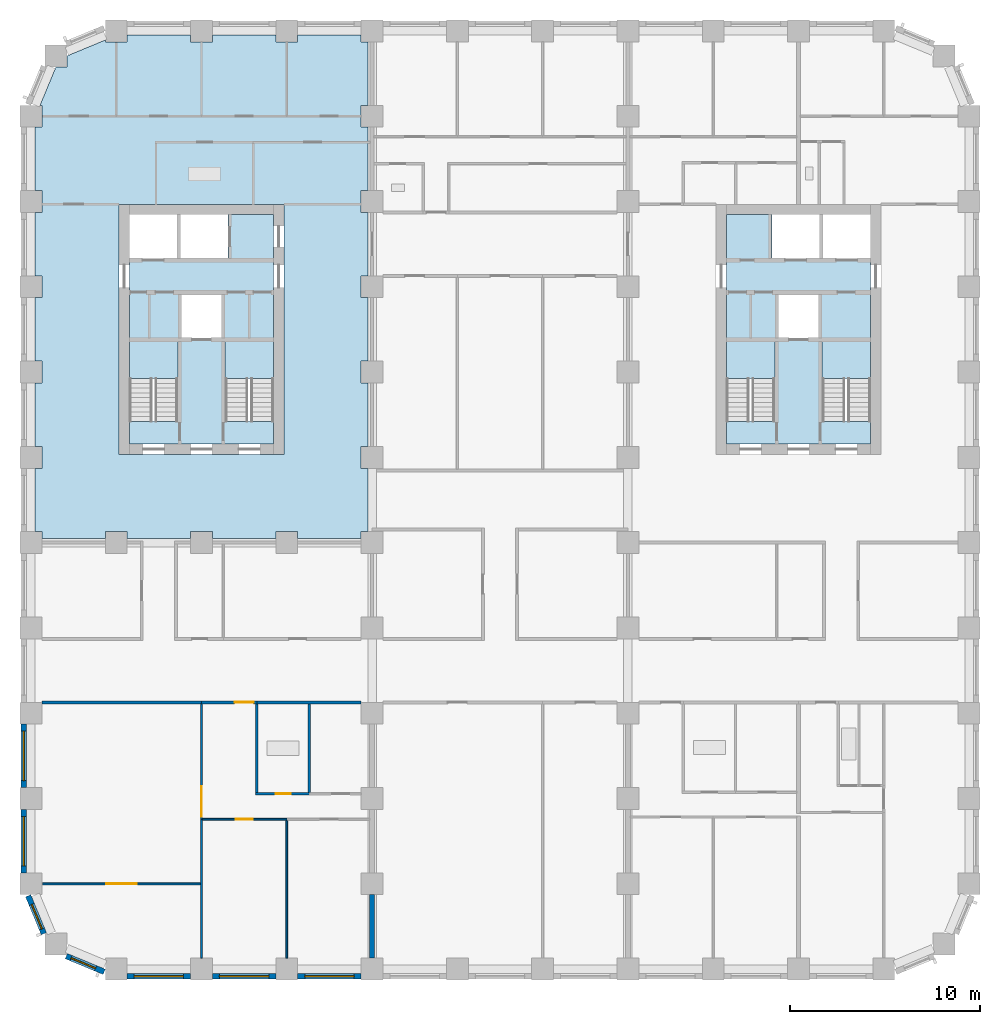
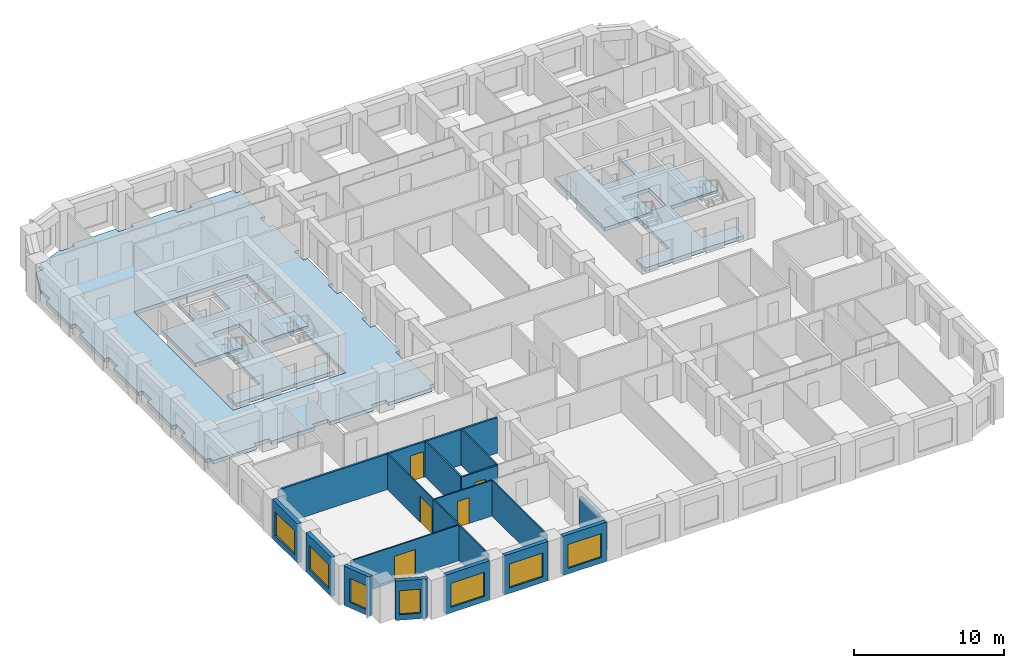
# One storey, part 2 of 13: 19 walls, 7 slabs, 7 windows, 5 doors, 12 openings, 4 elements without a shape of their own.
"""IFC4 building model written with IfcOpenShell, lengths in metres."""

from ifc_helpers import new_model, si_unit, direction, frame, frame_2d, origin, place, context, subcontext, project, spatial, polyline, rectangle, outline, extrude, material, layer, layer_set, type_object, element, fill, aggregate, save


model = new_model("IFC4")

# Units and contexts
model_context = context("Model", 3, precision=1e-05, world=origin(), true_north=direction((0.0, 1.0)))
body_context = subcontext(model_context, "Body", "Model", "MODEL_VIEW")
ifc_project = project(units=[si_unit("LENGTHUNIT", "METRE"), si_unit("AREAUNIT", "SQUARE_METRE"), si_unit("VOLUMEUNIT", "CUBIC_METRE"), si_unit("PLANEANGLEUNIT", "RADIAN"), si_unit("MASSUNIT", "GRAM", prefix="KILO")], contexts=[model_context])

# Site, building, storey
site_placement = place(None, origin())
site = spatial("IfcSite", under=ifc_project, at=site_placement, CompositionType="ELEMENT")
building_placement = place(site_placement, origin())
building = spatial("IfcBuilding", under=site, at=building_placement, Name="Girih Gate Residences", CompositionType="ELEMENT")
storey_placement = place(building_placement, frame((0.0, 0.0, 89.60009765625)))
storey = spatial("IfcBuildingStorey", under=building, at=storey_placement, Name="L24", CompositionType="ELEMENT", Elevation=89.60009765625)

# Slabs
ifc_material_1 = material(Name="Concrete C40/50", Category="concrete")
ifc_layer_1 = layer(ifc_material_1, 0.300048828125)
ifc_layer_set_1 = layer_set([ifc_layer_1], Name="Core floor slab 300")
slab_type_1 = type_object("IfcSlabType", Name="Core floor slab 300", PredefinedType="FLOOR", material=ifc_layer_set_1)
slab_1_placement = place(storey_placement, frame((0.0, 0.0, -0.300048828125)))
element("IfcSlab", 1, at=slab_1_placement, inside=storey, type_object=slab_type_1, Name="L24 W core floor", PredefinedType="FLOOR", context=body_context, shape_type="SweptSolid", body=[
    extrude(outline(polyline([(12.800048828125, 27.699951171875), (5.199951171875, 27.699951171875), (5.199951171875, 28.900634765625), (7.75, 28.900634765625), (7.75, 33.10009765625), (5.199951171875, 33.10009765625), (5.199951171875, 37.5), (7.699951171875, 37.5), (7.699951171875, 39.800048828125), (7.89990234375, 39.800048828125), (7.89990234375, 37.5), (10.39990234375, 37.5), (10.39990234375, 39.800048828125), (12.800048828125, 39.800048828125), (12.800048828125, 33.10009765625), (10.25, 33.10009765625), (10.25, 28.900634765625), (12.800048828125, 28.900634765625), (12.800048828125, 27.699951171875)]), holes=[polyline([(7.949951171875, 33.300048828125), (10.050048828125, 33.300048828125), (10.050048828125, 35.60009765625), (7.949951171875, 35.60009765625), (7.949951171875, 33.300048828125)])]), origin(), (0.0, 0.0, 1.0), 0.300048828125),
])
slab_2_placement = place(storey_placement, frame((0.0, 0.0, -0.300048828125)))
element("IfcSlab", 2, at=slab_2_placement, inside=storey, type_object=slab_type_1, Name="L24 E core floor", PredefinedType="FLOOR", context=body_context, shape_type="SweptSolid", body=[
    extrude(outline(polyline([(44.300048828125, 27.699951171875), (36.699951171875, 27.699951171875), (36.699951171875, 28.900634765625), (39.25, 28.900634765625), (39.25, 33.10009765625), (36.699951171875, 33.10009765625), (36.699951171875, 39.800048828125), (39.10009765625, 39.800048828125), (39.10009765625, 37.5), (41.60009765625, 37.5), (41.60009765625, 39.800048828125), (41.800048828125, 39.800048828125), (41.800048828125, 37.5), (44.300048828125, 37.5), (44.300048828125, 33.10009765625), (41.75, 33.10009765625), (41.75, 28.900634765625), (44.300048828125, 28.900634765625), (44.300048828125, 27.699951171875)]), holes=[polyline([(39.449951171875, 33.300048828125), (41.550048828125, 33.300048828125), (41.550048828125, 35.60009765625), (39.449951171875, 35.60009765625), (39.449951171875, 33.300048828125)])]), origin(), (0.0, 0.0, 1.0), 0.300048828125),
])
ifc_layer_2 = layer(ifc_material_1, 0.300048828125)
ifc_layer_set_2 = layer_set([ifc_layer_2], Name="Floor slab PT 300 Concrete C40/50")
slab_type_2 = type_object("IfcSlabType", Name="Floor slab PT 300 Concrete C40/50", PredefinedType="FLOOR", material=ifc_layer_set_2)
slab_3_placement = place(storey_placement, frame((0.0, 0.0, -0.300048828125)))
element("IfcSlab", 3, at=slab_3_placement, inside=storey, type_object=slab_type_2, Name="Floor slab L24 3", PredefinedType="FLOOR", context=body_context, shape_type="SweptSolid", body=[
    extrude(outline(polyline([(0.22509765625, 26.425048828125), (0.22509765625, 23.074951171875), (0.574951171875, 23.074951171875), (0.574951171875, 22.72509765625), (3.925048828125, 22.72509765625), (3.925048828125, 23.074951171875), (5.074951171875, 23.074951171875), (5.074951171875, 22.72509765625), (8.425048828125, 22.72509765625), (8.425048828125, 23.074951171875), (9.574951171875, 23.074951171875), (9.574951171875, 22.72509765625), (12.925048828125, 22.72509765625), (12.925048828125, 23.074951171875), (14.074951171875, 23.074951171875), (14.074951171875, 22.72509765625), (17.425048828125, 22.72509765625), (17.425048828125, 23.074951171875), (17.77490234375, 23.074951171875), (17.77490234375, 26.425048828125), (17.425048828125, 26.425048828125), (17.425048828125, 27.574951171875), (17.77490234375, 27.574951171875), (17.77490234375, 30.925048828125), (17.425048828125, 30.925048828125), (17.425048828125, 32.074951171875), (17.77490234375, 32.074951171875), (17.77490234375, 35.425048828125), (17.425048828125, 35.425048828125), (17.425048828125, 36.574951171875), (17.77490234375, 36.574951171875), (17.77490234375, 39.925048828125), (17.425048828125, 39.925048828125), (17.425048828125, 41.074951171875), (17.77490234375, 41.074951171875), (17.77490234375, 44.425048828125), (17.425048828125, 44.425048828125), (17.425048828125, 45.574951171875), (17.77490234375, 45.574951171875), (17.77490234375, 48.925048828125), (17.425048828125, 48.925048828125), (17.425048828125, 49.27490234375), (14.074951171875, 49.27490234375), (14.074951171875, 48.925048828125), (12.925048828125, 48.925048828125), (12.925048828125, 49.27490234375), (9.574951171875, 49.27490234375), (9.574951171875, 48.925048828125), (8.425048828125, 48.925048828125), (8.425048828125, 49.27490234375), (5.074951171875, 49.27490234375), (5.074951171875, 48.925048828125), (3.925048828125, 48.925048828125), (3.925048828125, 49.018310546875), (1.89306640625, 48.176513671875), (1.89306640625, 47.60693359375), (1.323486328125, 47.60693359375), (0.481689453125, 45.574951171875), (0.574951171875, 45.574951171875), (0.574951171875, 44.425048828125), (0.22509765625, 44.425048828125), (0.22509765625, 41.074951171875), (0.574951171875, 41.074951171875), (0.574951171875, 39.925048828125), (0.22509765625, 39.925048828125), (0.22509765625, 36.574951171875), (0.574951171875, 36.574951171875), (0.574951171875, 35.425048828125), (0.22509765625, 35.425048828125), (0.22509765625, 32.074951171875), (0.574951171875, 32.074951171875), (0.574951171875, 30.925048828125), (0.22509765625, 30.925048828125), (0.22509765625, 27.574951171875), (0.574951171875, 27.574951171875), (0.574951171875, 26.425048828125), (0.22509765625, 26.425048828125)]), holes=[polyline([(13.35009765625, 40.35009765625), (13.35009765625, 27.14990234375), (4.64990234375, 27.14990234375), (4.64990234375, 40.35009765625), (13.35009765625, 40.35009765625)])]), origin(), (0.0, 0.0, 1.0), 0.300048828125),
])

# Stair, slab
stair_type = type_object("IfcStairType", Name="Exit stair", PredefinedType="HALF_TURN_STAIR", material=ifc_material_1)
stair_1_placement = place(storey_placement, origin())
stair_1 = element("IfcStair", 4, at=stair_1_placement, inside=storey, type_object=stair_type, Name="L24 Exit Stair ST-W1", PredefinedType="HALF_TURN_STAIR")
ifc_layer_3 = layer(ifc_material_1, 0.199951171875)
ifc_layer_set_3 = layer_set([ifc_layer_3], Name="Stair landing 200")
slab_type_3 = type_object("IfcSlabType", Name="Stair landing 200", PredefinedType="LANDING", material=ifc_layer_set_3)
slab_4_placement = place(storey_placement, frame((0.0, 0.0, 1.39990234375)))
slab_4 = element("IfcSlab", 5, at=slab_4_placement, type_object=slab_type_3, Name="ST-W1 landing 1", PredefinedType="LANDING", context=body_context, shape_type="SweptSolid", body=[
    extrude(outline(polyline([(7.75, 31.14990234375), (7.75, 33.10009765625), (5.199951171875, 33.10009765625), (5.199951171875, 31.14990234375), (7.75, 31.14990234375)])), origin(), (0.0, 0.0, 1.0), 0.199951171875),
])
aggregate(stair_1, [slab_4])

stair_2_placement = place(storey_placement, origin())
stair_2 = element("IfcStair", 6, at=stair_2_placement, inside=storey, type_object=stair_type, Name="L24 Exit Stair ST-W2", PredefinedType="HALF_TURN_STAIR")
slab_5_placement = place(storey_placement, frame((0.0, 0.0, 1.39990234375)))
slab_5 = element("IfcSlab", 7, at=slab_5_placement, type_object=slab_type_3, Name="ST-W2 landing 1", PredefinedType="LANDING", context=body_context, shape_type="SweptSolid", body=[
    extrude(outline(polyline([(12.800048828125, 31.14990234375), (12.800048828125, 33.10009765625), (10.25, 33.10009765625), (10.25, 31.14990234375), (12.800048828125, 31.14990234375)])), origin(), (0.0, 0.0, 1.0), 0.199951171875),
])
aggregate(stair_2, [slab_5])

stair_3_placement = place(storey_placement, origin())
stair_3 = element("IfcStair", 8, at=stair_3_placement, inside=storey, type_object=stair_type, Name="L24 Exit Stair ST-E1", PredefinedType="HALF_TURN_STAIR")
slab_6_placement = place(storey_placement, frame((0.0, 0.0, 1.39990234375)))
slab_6 = element("IfcSlab", 9, at=slab_6_placement, type_object=slab_type_3, Name="ST-E1 landing 1", PredefinedType="LANDING", context=body_context, shape_type="SweptSolid", body=[
    extrude(outline(polyline([(44.300048828125, 31.14990234375), (44.300048828125, 33.10009765625), (41.75, 33.10009765625), (41.75, 31.14990234375), (44.300048828125, 31.14990234375)])), origin(), (0.0, 0.0, 1.0), 0.199951171875),
])
aggregate(stair_3, [slab_6])

stair_4_placement = place(storey_placement, origin())
stair_4 = element("IfcStair", 10, at=stair_4_placement, inside=storey, type_object=stair_type, Name="L24 Exit Stair ST-E2", PredefinedType="HALF_TURN_STAIR")
slab_7_placement = place(storey_placement, frame((0.0, 0.0, 1.39990234375)))
slab_7 = element("IfcSlab", 11, at=slab_7_placement, type_object=slab_type_3, Name="ST-E2 landing 1", PredefinedType="LANDING", context=body_context, shape_type="SweptSolid", body=[
    extrude(outline(polyline([(39.25, 31.14990234375), (39.25, 33.10009765625), (36.699951171875, 33.10009765625), (36.699951171875, 31.14990234375), (39.25, 31.14990234375)])), origin(), (0.0, 0.0, 1.0), 0.199951171875),
])
aggregate(stair_4, [slab_7])

# Walls
ifc_material_2 = material(Name="Gypsum board on steel studs", Category="steel")
ifc_layer_4 = layer(ifc_material_2, 0.25)
ifc_layer_set_4 = layer_set([ifc_layer_4], Name="Acoustic separating wall 250 mm")
wall_type_1 = type_object("IfcWallType", Name="Acoustic separating wall 250 mm", PredefinedType="PARTITIONING", material=ifc_layer_set_4)
wall_1_placement = place(storey_placement, frame((18.0, 0.574951171875, 0.0), z_axis=(0.0, 0.0, 1.0), x_axis=(0.0, 1.0, 0.0)))
element("IfcWall", 12, at=wall_1_placement, inside=storey, type_object=wall_type_1, Name="L24 partition", PredefinedType="PARTITIONING", context=body_context, shape_type="SweptSolid", body=[
    extrude(rectangle(XDim=3.35009765625, YDim=0.25, at=frame_2d((1.675048828125, 0.0))), origin(), (0.0, 0.0, 1.0), 2.3798828125),
])
ifc_layer_5 = layer(ifc_material_2, 0.14990234375)
ifc_layer_set_5 = layer_set([ifc_layer_5], Name="Compartment wall 150 mm")
wall_type_2 = type_object("IfcWallType", Name="Compartment wall 150 mm", PredefinedType="PARTITIONING", material=ifc_layer_set_5)
wall_2_placement = place(storey_placement, frame((11.925048828125, 14.074951171875, 0.0), z_axis=(0.0, 0.0, 1.0), x_axis=(1.0, 0.0, 0.0)))
element("IfcWall", 13, at=wall_2_placement, inside=storey, type_object=wall_type_2, Name="L24 partition", PredefinedType="PARTITIONING", context=body_context, shape_type="SweptSolid", body=[
    extrude(rectangle(XDim=5.5, YDim=0.14990234375, at=frame_2d((2.75, 0.0))), origin(), (0.0, 0.0, 1.0), 2.89990234375),
])
wall_3_placement = place(storey_placement, frame((0.574951171875, 14.074951171875, 0.0), z_axis=(0.0, 0.0, 1.0), x_axis=(1.0, 0.0, 0.0)))
element("IfcWall", 14, at=wall_3_placement, inside=storey, type_object=wall_type_2, Name="L24 partition", PredefinedType="PARTITIONING", context=body_context, shape_type="SweptSolid", body=[
    extrude(rectangle(XDim=8.425048828125, YDim=0.14990234375, at=frame_2d((4.21240234375, 0.0))), origin(), (0.0, 0.0, 1.0), 2.89990234375),
])

# Wall, opening, door
wall_4_placement = place(storey_placement, frame((11.925048828125, 14.074951171875, 0.0), z_axis=(0.0, 0.0, 1.0), x_axis=(-1.0, 0.0, 0.0)))
wall_4 = element("IfcWall", 15, at=wall_4_placement, inside=storey, type_object=wall_type_2, Name="L24 partition", PredefinedType="PARTITIONING", context=body_context, shape_type="SweptSolid", body=[
    extrude(rectangle(XDim=2.925048828125, YDim=0.14990234375, at=frame_2d((1.46240234375, 0.0))), origin(), (0.0, 0.0, 1.0), 2.89990234375),
])
opening_1_placement = place(wall_4_placement, frame((0.175048828125, 0.0, 0.0)))
opening_1 = element("IfcOpeningElement", 16, at=opening_1_placement, cuts=wall_4, Name="Opening A24-007", PredefinedType="OPENING", context=body_context, shape_type="SweptSolid", body=[
    extrude(rectangle(XDim=1.0, YDim=2.10009765625, at=frame_2d((0.5, 1.050048828125))), frame((0.0, 0.0849609375, 0.0), z_axis=(0.0, -1.0, 0.0), x_axis=(1.0, 0.0, 0.0)), (0.0, 0.0, 1.0), 0.169921875),
])
ifc_material_3 = material(Name="Timber, fire-rated core", Category="wood")
door_type_1 = type_object("IfcDoorType", Name="Flat entrance door 1000x2100 FD30S", OperationType="NOTDEFINED", PredefinedType="DOOR", material=ifc_material_3)
door_1_placement = place(opening_1_placement, origin())
door_1 = element("IfcDoor", 17, at=door_1_placement, inside=storey, type_object=door_type_1, Name="Door A24-007", OperationType="SINGLE_SWING_LEFT", OverallHeight=2.10009765625, OverallWidth=1.0, PredefinedType="DOOR", context=body_context, shape_type="SweptSolid", body=[
    extrude(rectangle(XDim=1.0, YDim=2.10009765625, at=frame_2d((0.5, 1.050048828125))), frame((0.0, 0.02490234375, 0.0), z_axis=(0.0, -1.0, 0.0), x_axis=(1.0, 0.0, 0.0)), (0.0, 0.0, 1.0), 0.050048828125),
])
fill(opening_1, door_1)

# Wall
ifc_layer_6 = layer(ifc_material_2, 0.10009765625)
ifc_layer_set_6 = layer_set([ifc_layer_6], Name="Partition 100 mm")
wall_type_3 = type_object("IfcWallType", Name="Partition 100 mm", PredefinedType="PARTITIONING", material=ifc_layer_set_6)
wall_5_placement = place(storey_placement, frame((13.5, 0.574951171875, 0.0), z_axis=(0.0, 0.0, 1.0), x_axis=(0.0, 1.0, 0.0)))
element("IfcWall", 18, at=wall_5_placement, inside=storey, type_object=wall_type_3, Name="L24 partition", PredefinedType="PARTITIONING", context=body_context, shape_type="SweptSolid", body=[
    extrude(rectangle(XDim=7.280029296875, YDim=0.10009765625, at=frame_2d((3.64013671875, 0.0))), origin(), (0.0, 0.0, 1.0), 2.89990234375),
])

# Wall, opening, door
wall_6_placement = place(storey_placement, frame((13.5, 7.905029296875, 0.0), z_axis=(0.0, 0.0, 1.0), x_axis=(-1.0, 0.0, 0.0)))
wall_6 = element("IfcWall", 19, at=wall_6_placement, inside=storey, type_object=wall_type_3, Name="L24 partition", PredefinedType="PARTITIONING", context=body_context, shape_type="SweptSolid", body=[
    extrude(rectangle(XDim=4.449951171875, YDim=0.10009765625, at=frame_2d((2.22509765625, 0.0))), origin(), (0.0, 0.0, 1.0), 2.89990234375),
])
opening_2_placement = place(wall_6_placement, frame((1.800048828125, 0.0, 0.0)))
opening_2 = element("IfcOpeningElement", 20, at=opening_2_placement, cuts=wall_6, Name="Opening A24-002", PredefinedType="OPENING", context=body_context, shape_type="SweptSolid", body=[
    extrude(rectangle(XDim=0.89990234375, YDim=2.10009765625, at=frame_2d((0.449951171875, 1.050048828125))), frame((0.0, 0.06005859375, 0.0), z_axis=(0.0, -1.0, 0.0), x_axis=(1.0, 0.0, 0.0)), (0.0, 0.0, 1.0), 0.1201171875),
])
ifc_material_4 = material(Name="Timber", Category="wood")
door_type_2 = type_object("IfcDoorType", Name="Bedroom door 900x2100", OperationType="NOTDEFINED", PredefinedType="DOOR", material=ifc_material_4)
door_2_placement = place(opening_2_placement, origin())
door_2 = element("IfcDoor", 21, at=door_2_placement, inside=storey, type_object=door_type_2, Name="Door A24-002", OperationType="SINGLE_SWING_RIGHT", OverallHeight=2.10009765625, OverallWidth=0.89990234375, PredefinedType="DOOR", context=body_context, shape_type="SweptSolid", body=[
    extrude(rectangle(XDim=0.89990234375, YDim=2.10009765625, at=frame_2d((0.449951171875, 1.050048828125))), frame((0.0, 0.02490234375, 0.0), z_axis=(0.0, -1.0, 0.0), x_axis=(1.0, 0.0, 0.0)), (0.0, 0.0, 1.0), 0.050048828125),
])
fill(opening_2, door_2)

# Wall
wall_7_placement = place(storey_placement, frame((9.0, 0.574951171875, 0.0), z_axis=(0.0, 0.0, 1.0), x_axis=(0.0, 1.0, 0.0)))
element("IfcWall", 22, at=wall_7_placement, inside=storey, type_object=wall_type_3, Name="L24 partition", PredefinedType="PARTITIONING", context=body_context, shape_type="SweptSolid", body=[
    extrude(rectangle(XDim=7.330078125, YDim=0.10009765625, at=frame_2d((3.6650390625, 0.0))), origin(), (0.0, 0.0, 1.0), 2.89990234375),
])

# Wall, opening, door
wall_8_placement = place(storey_placement, frame((9.0, 7.905029296875, 0.0), z_axis=(0.0, 0.0, 1.0), x_axis=(0.0, 1.0, 0.0)))
wall_8 = element("IfcWall", 23, at=wall_8_placement, inside=storey, type_object=wall_type_3, Name="L24 partition", PredefinedType="PARTITIONING", context=body_context, shape_type="SweptSolid", body=[
    extrude(rectangle(XDim=6.094970703125, YDim=0.10009765625, at=frame_2d((3.04736328125, 0.0))), origin(), (0.0, 0.0, 1.0), 2.89990234375),
])
opening_3_placement = place(wall_8_placement, frame((0.1298828125, 0.0, 0.0)))
opening_3 = element("IfcOpeningElement", 24, at=opening_3_placement, cuts=wall_8, Name="Opening A24-004", PredefinedType="OPENING", context=body_context, shape_type="SweptSolid", body=[
    extrude(rectangle(XDim=1.60009765625, YDim=2.10009765625, at=frame_2d((0.800048828125, 1.050048828125))), frame((0.0, 0.06005859375, 0.0), z_axis=(0.0, -1.0, 0.0), x_axis=(1.0, 0.0, 0.0)), (0.0, 0.0, 1.0), 0.1201171875),
])
door_type_3 = type_object("IfcDoorType", Name="Double leaf door 1600x2100", OperationType="NOTDEFINED", PredefinedType="DOOR", material=ifc_material_4)
door_3_placement = place(opening_3_placement, origin())
door_3 = element("IfcDoor", 25, at=door_3_placement, inside=storey, type_object=door_type_3, Name="Door A24-004", OperationType="SINGLE_SWING_LEFT", OverallHeight=2.10009765625, OverallWidth=1.60009765625, PredefinedType="DOOR", context=body_context, shape_type="SweptSolid", body=[
    extrude(rectangle(XDim=1.60009765625, YDim=2.10009765625, at=frame_2d((0.800048828125, 1.050048828125))), frame((0.0, 0.02490234375, 0.0), z_axis=(0.0, -1.0, 0.0), x_axis=(1.0, 0.0, 0.0)), (0.0, 0.0, 1.0), 0.050048828125),
])
fill(opening_3, door_3)

wall_9_placement = place(storey_placement, frame((0.622314453125, 4.5, 0.0), z_axis=(0.0, 0.0, 1.0), x_axis=(1.0, 0.0, 0.0)))
wall_9 = element("IfcWall", 26, at=wall_9_placement, inside=storey, type_object=wall_type_3, Name="L24 partition", PredefinedType="PARTITIONING", context=body_context, shape_type="SweptSolid", body=[
    extrude(rectangle(XDim=8.32763671875, YDim=0.10009765625, at=frame_2d((4.163818359375, 0.0))), origin(), (0.0, 0.0, 1.0), 2.89990234375),
])
opening_4_placement = place(wall_9_placement, frame((3.364990234375, 0.0, 0.0)))
opening_4 = element("IfcOpeningElement", 27, at=opening_4_placement, cuts=wall_9, Name="Opening A24-005", PredefinedType="OPENING", context=body_context, shape_type="SweptSolid", body=[
    extrude(rectangle(XDim=1.60009765625, YDim=2.10009765625, at=frame_2d((0.800048828125, 1.050048828125))), frame((0.0, 0.06005859375, 0.0), z_axis=(0.0, -1.0, 0.0), x_axis=(1.0, 0.0, 0.0)), (0.0, 0.0, 1.0), 0.1201171875),
])
door_4_placement = place(opening_4_placement, origin())
door_4 = element("IfcDoor", 28, at=door_4_placement, inside=storey, type_object=door_type_3, Name="Door A24-005", OperationType="SINGLE_SWING_RIGHT", OverallHeight=2.10009765625, OverallWidth=1.60009765625, PredefinedType="DOOR", context=body_context, shape_type="SweptSolid", body=[
    extrude(rectangle(XDim=1.60009765625, YDim=2.10009765625, at=frame_2d((0.800048828125, 1.050048828125))), frame((0.0, 0.02490234375, 0.0), z_axis=(0.0, -1.0, 0.0), x_axis=(1.0, 0.0, 0.0)), (0.0, 0.0, 1.0), 0.050048828125),
])
fill(opening_4, door_4)

# Wall, opening, window
ifc_material_5 = material(Name="Precast concrete C50/60", Category="concrete")
ifc_layer_7 = layer(ifc_material_5, 0.080078125, Name="Outer leaf")
ifc_material_6 = material(Name="Rigid PIR insulation")
ifc_layer_8 = layer(ifc_material_6, 0.14990234375, Name="Insulation")
ifc_material_7 = material(Name="Precast concrete C40/50", Category="concrete")
ifc_layer_9 = layer(ifc_material_7, 0.070068359375, Name="Inner leaf")
ifc_layer_set_7 = layer_set([ifc_layer_7, ifc_layer_8, ifc_layer_9], Name="Precast concrete C50/60 external wall 300")
wall_type_4 = type_object("IfcWallType", Name="Precast concrete C50/60 external wall 300", PredefinedType="SOLIDWALL", material=ifc_layer_set_7)
wall_10_placement = place(storey_placement, frame((0.68408203125, 1.86865234375, 0.0), z_axis=(0.0, 0.0, 1.0), x_axis=(-0.382723818695, 0.923862802911, 0.0)))
wall_10 = element("IfcWall", 29, at=wall_10_placement, inside=storey, type_object=wall_type_4, Name="External wall SW0000_0045.0", PredefinedType="SOLIDWALL", context=body_context, shape_type="SweptSolid", body=[
    extrude(rectangle(XDim=2.163818359375, YDim=0.300048828125, at=frame_2d((1.08203125, 0.0))), origin(), (0.0, 0.0, 1.0), 3.199951171875),
])
opening_5_placement = place(wall_10_placement, frame((0.270751953125, 0.0, 0.449951171875)))
opening_5 = element("IfcOpeningElement", 30, at=opening_5_placement, cuts=wall_10, Name="Opening W-2D", PredefinedType="OPENING", context=body_context, shape_type="SweptSolid", body=[
    extrude(rectangle(XDim=1.39990234375, YDim=1.949951171875, at=frame_2d((0.699951171875, 0.97509765625))), frame((0.0, 0.159912109375, 0.0), z_axis=(0.0, -1.0, 0.0), x_axis=(1.0, 0.0, 0.0)), (0.0, 0.0, 1.0), 0.320068359375),
])
ifc_material_8 = material(Name="Double glazing in aluminium frame", Category="aluminium")
window_type_1 = type_object("IfcWindowType", Name="Window W-2D 1400x1950", PartitioningType="SINGLE_PANEL", PredefinedType="WINDOW", material=ifc_material_8)
window_1_placement = place(opening_5_placement, origin())
window_1 = element("IfcWindow", 31, at=window_1_placement, inside=storey, type_object=window_type_1, Name="Window W-2D SW0000_0045.0", OverallHeight=1.949951171875, OverallWidth=1.39990234375, PartitioningType="SINGLE_PANEL", PredefinedType="WINDOW", context=body_context, shape_type="SweptSolid", body=[
    extrude(rectangle(XDim=1.39990234375, YDim=1.949951171875, at=frame_2d((0.699951171875, 0.97509765625))), frame((0.0, 0.030029296875, 0.0), z_axis=(0.0, -1.0, 0.0), x_axis=(1.0, 0.0, 0.0)), (0.0, 0.0, 1.0), 0.06005859375),
])
fill(opening_5, window_1)

wall_11_placement = place(storey_placement, frame((3.86767578125, -0.14404296875, 0.0), z_axis=(0.0, 0.0, 1.0), x_axis=(-0.923862802911, 0.382723818695, 0.0)))
wall_11 = element("IfcWall", 32, at=wall_11_placement, inside=storey, type_object=wall_type_4, Name="External wall SW0013_0013.0", PredefinedType="SOLIDWALL", context=body_context, shape_type="SweptSolid", body=[
    extrude(rectangle(XDim=2.163818359375, YDim=0.300048828125, at=frame_2d((1.08203125, 0.0))), origin(), (0.0, 0.0, 1.0), 3.199951171875),
])
opening_6_placement = place(wall_11_placement, frame((0.492919921875, 0.0, 0.449951171875)))
opening_6 = element("IfcOpeningElement", 33, at=opening_6_placement, cuts=wall_11, Name="Opening W-2D", PredefinedType="OPENING", context=body_context, shape_type="SweptSolid", body=[
    extrude(rectangle(XDim=1.39990234375, YDim=1.949951171875, at=frame_2d((0.699951171875, 0.97509765625))), frame((0.0, 0.159912109375, 0.0), z_axis=(0.0, -1.0, 0.0), x_axis=(1.0, 0.0, 0.0)), (0.0, 0.0, 1.0), 0.320068359375),
])
window_2_placement = place(opening_6_placement, origin())
window_2 = element("IfcWindow", 34, at=window_2_placement, inside=storey, type_object=window_type_1, Name="Window W-2D SW0013_0013.0", OverallHeight=1.949951171875, OverallWidth=1.39990234375, PartitioningType="SINGLE_PANEL", PredefinedType="WINDOW", context=body_context, shape_type="SweptSolid", body=[
    extrude(rectangle(XDim=1.39990234375, YDim=1.949951171875, at=frame_2d((0.699951171875, 0.97509765625))), frame((0.0, 0.030029296875, 0.0), z_axis=(0.0, -1.0, 0.0), x_axis=(1.0, 0.0, 0.0)), (0.0, 0.0, 1.0), 0.06005859375),
])
fill(opening_6, window_2)

wall_12_placement = place(storey_placement, frame((8.425048828125, -0.375, 0.0), z_axis=(0.0, 0.0, 1.0), x_axis=(-1.0, 0.0, 0.0)))
wall_12 = element("IfcWall", 35, at=wall_12_placement, inside=storey, type_object=wall_type_4, Name="External wall S0045_0000.0", PredefinedType="SOLIDWALL", context=body_context, shape_type="SweptSolid", body=[
    extrude(rectangle(XDim=3.35009765625, YDim=0.300048828125, at=frame_2d((1.675048828125, 0.0))), origin(), (0.0, 0.0, 1.0), 3.199951171875),
])
opening_7_placement = place(wall_12_placement, frame((0.375, 0.0, 0.449951171875)))
opening_7 = element("IfcOpeningElement", 36, at=opening_7_placement, cuts=wall_12, Name="Opening W-1A", PredefinedType="OPENING", context=body_context, shape_type="SweptSolid", body=[
    extrude(rectangle(XDim=2.60009765625, YDim=1.949951171875, at=frame_2d((1.300048828125, 0.97509765625))), frame((0.0, 0.159912109375, 0.0), z_axis=(0.0, -1.0, 0.0), x_axis=(1.0, 0.0, 0.0)), (0.0, 0.0, 1.0), 0.320068359375),
])
window_type_2 = type_object("IfcWindowType", Name="Window W-1A 2600x1950", PartitioningType="SINGLE_PANEL", PredefinedType="WINDOW", material=ifc_material_8)
window_3_placement = place(opening_7_placement, origin())
window_3 = element("IfcWindow", 37, at=window_3_placement, inside=storey, type_object=window_type_2, Name="Window W-1A S0045_0000.0", OverallHeight=1.949951171875, OverallWidth=2.60009765625, PartitioningType="SINGLE_PANEL", PredefinedType="WINDOW", context=body_context, shape_type="SweptSolid", body=[
    extrude(rectangle(XDim=2.60009765625, YDim=1.949951171875, at=frame_2d((1.300048828125, 0.97509765625))), frame((0.0, 0.030029296875, 0.0), z_axis=(0.0, -1.0, 0.0), x_axis=(1.0, 0.0, 0.0)), (0.0, 0.0, 1.0), 0.06005859375),
])
fill(opening_7, window_3)

wall_13_placement = place(storey_placement, frame((12.925048828125, -0.375, 0.0), z_axis=(0.0, 0.0, 1.0), x_axis=(-1.0, 0.0, 0.0)))
wall_13 = element("IfcWall", 38, at=wall_13_placement, inside=storey, type_object=wall_type_4, Name="External wall S0045_0000.1", PredefinedType="SOLIDWALL", context=body_context, shape_type="SweptSolid", body=[
    extrude(rectangle(XDim=3.35009765625, YDim=0.300048828125, at=frame_2d((1.675048828125, 0.0))), origin(), (0.0, 0.0, 1.0), 3.199951171875),
])
opening_8_placement = place(wall_13_placement, frame((0.375, 0.0, 0.449951171875)))
opening_8 = element("IfcOpeningElement", 39, at=opening_8_placement, cuts=wall_13, Name="Opening W-1A", PredefinedType="OPENING", context=body_context, shape_type="SweptSolid", body=[
    extrude(rectangle(XDim=2.60009765625, YDim=1.949951171875, at=frame_2d((1.300048828125, 0.97509765625))), frame((0.0, 0.159912109375, 0.0), z_axis=(0.0, -1.0, 0.0), x_axis=(1.0, 0.0, 0.0)), (0.0, 0.0, 1.0), 0.320068359375),
])
window_4_placement = place(opening_8_placement, origin())
window_4 = element("IfcWindow", 40, at=window_4_placement, inside=storey, type_object=window_type_2, Name="Window W-1A S0045_0000.1", OverallHeight=1.949951171875, OverallWidth=2.60009765625, PartitioningType="SINGLE_PANEL", PredefinedType="WINDOW", context=body_context, shape_type="SweptSolid", body=[
    extrude(rectangle(XDim=2.60009765625, YDim=1.949951171875, at=frame_2d((1.300048828125, 0.97509765625))), frame((0.0, 0.030029296875, 0.0), z_axis=(0.0, -1.0, 0.0), x_axis=(1.0, 0.0, 0.0)), (0.0, 0.0, 1.0), 0.06005859375),
])
fill(opening_8, window_4)

wall_14_placement = place(storey_placement, frame((17.425048828125, -0.375, 0.0), z_axis=(0.0, 0.0, 1.0), x_axis=(-1.0, 0.0, 0.0)))
wall_14 = element("IfcWall", 41, at=wall_14_placement, inside=storey, type_object=wall_type_4, Name="External wall S0045_0000.2", PredefinedType="SOLIDWALL", context=body_context, shape_type="SweptSolid", body=[
    extrude(rectangle(XDim=3.35009765625, YDim=0.300048828125, at=frame_2d((1.675048828125, 0.0))), origin(), (0.0, 0.0, 1.0), 3.199951171875),
])
opening_9_placement = place(wall_14_placement, frame((0.375, 0.0, 0.449951171875)))
opening_9 = element("IfcOpeningElement", 42, at=opening_9_placement, cuts=wall_14, Name="Opening W-1A", PredefinedType="OPENING", context=body_context, shape_type="SweptSolid", body=[
    extrude(rectangle(XDim=2.60009765625, YDim=1.949951171875, at=frame_2d((1.300048828125, 0.97509765625))), frame((0.0, 0.159912109375, 0.0), z_axis=(0.0, -1.0, 0.0), x_axis=(1.0, 0.0, 0.0)), (0.0, 0.0, 1.0), 0.320068359375),
])
window_5_placement = place(opening_9_placement, origin())
window_5 = element("IfcWindow", 43, at=window_5_placement, inside=storey, type_object=window_type_2, Name="Window W-1A S0045_0000.2", OverallHeight=1.949951171875, OverallWidth=2.60009765625, PartitioningType="SINGLE_PANEL", PredefinedType="WINDOW", context=body_context, shape_type="SweptSolid", body=[
    extrude(rectangle(XDim=2.60009765625, YDim=1.949951171875, at=frame_2d((1.300048828125, 0.97509765625))), frame((0.0, 0.030029296875, 0.0), z_axis=(0.0, -1.0, 0.0), x_axis=(1.0, 0.0, 0.0)), (0.0, 0.0, 1.0), 0.06005859375),
])
fill(opening_9, window_5)

wall_15_placement = place(storey_placement, frame((-0.375, 9.574951171875, 0.0), z_axis=(0.0, 0.0, 1.0), x_axis=(0.0, 1.0, 0.0)))
wall_15 = element("IfcWall", 44, at=wall_15_placement, inside=storey, type_object=wall_type_4, Name="External wall W0000_0450.7", PredefinedType="SOLIDWALL", context=body_context, shape_type="SweptSolid", body=[
    extrude(rectangle(XDim=3.35009765625, YDim=0.300048828125, at=frame_2d((1.675048828125, 0.0))), origin(), (0.0, 0.0, 1.0), 3.199951171875),
])
opening_10_placement = place(wall_15_placement, frame((0.375, 0.0, 0.449951171875)))
opening_10 = element("IfcOpeningElement", 45, at=opening_10_placement, cuts=wall_15, Name="Opening W-1A", PredefinedType="OPENING", context=body_context, shape_type="SweptSolid", body=[
    extrude(rectangle(XDim=2.60009765625, YDim=1.949951171875, at=frame_2d((1.300048828125, 0.97509765625))), frame((0.0, 0.159912109375, 0.0), z_axis=(0.0, -1.0, 0.0), x_axis=(1.0, 0.0, 0.0)), (0.0, 0.0, 1.0), 0.320068359375),
])
window_6_placement = place(opening_10_placement, origin())
window_6 = element("IfcWindow", 46, at=window_6_placement, inside=storey, type_object=window_type_2, Name="Window W-1A W0000_0450.7", OverallHeight=1.949951171875, OverallWidth=2.60009765625, PartitioningType="SINGLE_PANEL", PredefinedType="WINDOW", context=body_context, shape_type="SweptSolid", body=[
    extrude(rectangle(XDim=2.60009765625, YDim=1.949951171875, at=frame_2d((1.300048828125, 0.97509765625))), frame((0.0, 0.030029296875, 0.0), z_axis=(0.0, -1.0, 0.0), x_axis=(1.0, 0.0, 0.0)), (0.0, 0.0, 1.0), 0.06005859375),
])
fill(opening_10, window_6)

wall_16_placement = place(storey_placement, frame((-0.375, 5.074951171875, 0.0), z_axis=(0.0, 0.0, 1.0), x_axis=(0.0, 1.0, 0.0)))
wall_16 = element("IfcWall", 47, at=wall_16_placement, inside=storey, type_object=wall_type_4, Name="External wall W0000_0450.8", PredefinedType="SOLIDWALL", context=body_context, shape_type="SweptSolid", body=[
    extrude(rectangle(XDim=3.35009765625, YDim=0.300048828125, at=frame_2d((1.675048828125, 0.0))), origin(), (0.0, 0.0, 1.0), 3.199951171875),
])
opening_11_placement = place(wall_16_placement, frame((0.375, 0.0, 0.449951171875)))
opening_11 = element("IfcOpeningElement", 48, at=opening_11_placement, cuts=wall_16, Name="Opening W-1A", PredefinedType="OPENING", context=body_context, shape_type="SweptSolid", body=[
    extrude(rectangle(XDim=2.60009765625, YDim=1.949951171875, at=frame_2d((1.300048828125, 0.97509765625))), frame((0.0, 0.159912109375, 0.0), z_axis=(0.0, -1.0, 0.0), x_axis=(1.0, 0.0, 0.0)), (0.0, 0.0, 1.0), 0.320068359375),
])
window_7_placement = place(opening_11_placement, origin())
window_7 = element("IfcWindow", 49, at=window_7_placement, inside=storey, type_object=window_type_2, Name="Window W-1A W0000_0450.8", OverallHeight=1.949951171875, OverallWidth=2.60009765625, PartitioningType="SINGLE_PANEL", PredefinedType="WINDOW", context=body_context, shape_type="SweptSolid", body=[
    extrude(rectangle(XDim=2.60009765625, YDim=1.949951171875, at=frame_2d((1.300048828125, 0.97509765625))), frame((0.0, 0.030029296875, 0.0), z_axis=(0.0, -1.0, 0.0), x_axis=(1.0, 0.0, 0.0)), (0.0, 0.0, 1.0), 0.06005859375),
])
fill(opening_11, window_7)

# Wall, opening, door
ifc_layer_10 = layer(ifc_material_2, 0.125)
ifc_layer_set_8 = layer_set([ifc_layer_10], Name="Wet room wall 125 mm")
wall_type_5 = type_object("IfcWallType", Name="Wet room wall 125 mm", PredefinedType="PARTITIONING", material=ifc_layer_set_8)
wall_17_placement = place(storey_placement, frame((11.862548828125, 9.2451171875, 0.0), z_axis=(0.0, 0.0, 1.0), x_axis=(1.0, 0.0, 0.0)))
wall_17 = element("IfcWall", 50, at=wall_17_placement, inside=storey, type_object=wall_type_5, Name="L24 partition", PredefinedType="PARTITIONING", context=body_context, shape_type="SweptSolid", body=[
    extrude(rectangle(XDim=2.827880859375, YDim=0.125, at=frame_2d((1.4140625, 0.0))), origin(), (0.0, 0.0, 1.0), 2.89990234375),
])
opening_12_placement = place(wall_17_placement, frame((1.04541015625, 0.0, 0.0)))
opening_12 = element("IfcOpeningElement", 51, at=opening_12_placement, cuts=wall_17, Name="Opening A24-001", PredefinedType="OPENING", context=body_context, shape_type="SweptSolid", body=[
    extrude(rectangle(XDim=0.800048828125, YDim=2.10009765625, at=frame_2d((0.39990234375, 1.050048828125))), frame((0.0, 0.072509765625, 0.0), z_axis=(0.0, -1.0, 0.0), x_axis=(1.0, 0.0, 0.0)), (0.0, 0.0, 1.0), 0.14501953125),
])
door_type_4 = type_object("IfcDoorType", Name="Bathroom door 800x2100", OperationType="NOTDEFINED", PredefinedType="DOOR", material=ifc_material_4)
door_5_placement = place(opening_12_placement, origin())
door_5 = element("IfcDoor", 52, at=door_5_placement, inside=storey, type_object=door_type_4, Name="Door A24-001", OperationType="SINGLE_SWING_RIGHT", OverallHeight=2.10009765625, OverallWidth=0.800048828125, PredefinedType="DOOR", context=body_context, shape_type="SweptSolid", body=[
    extrude(rectangle(XDim=0.800048828125, YDim=2.10009765625, at=frame_2d((0.39990234375, 1.050048828125))), frame((0.0, 0.02490234375, 0.0), z_axis=(0.0, -1.0, 0.0), x_axis=(1.0, 0.0, 0.0)), (0.0, 0.0, 1.0), 0.050048828125),
])
fill(opening_12, door_5)

# Walls
for number, where, z_axis, x_axis, name in (
    (53, (11.925048828125, 9.3076171875, 0.0), (0.0, 0.0, 1.0), (0.0, 1.0, 0.0), "L24 partition"),
    (54, (14.69091796875, 9.3076171875, 0.0), (0.0, 0.0, 1.0), (0.0, 1.0, 0.0), "L24 partition"),
):
    element("IfcWall", number, at=place(storey_placement, frame(where, z_axis=z_axis, x_axis=x_axis)), inside=storey, type_object=wall_type_5, Name=name, PredefinedType="PARTITIONING", context=body_context, shape_type="SweptSolid", body=[
        extrude(rectangle(XDim=4.6923828125, YDim=0.125, at=frame_2d((2.34619140625, 0.0))), origin(), (0.0, 0.0, 1.0), 2.89990234375),
    ])

save(model, "model.ifc")
